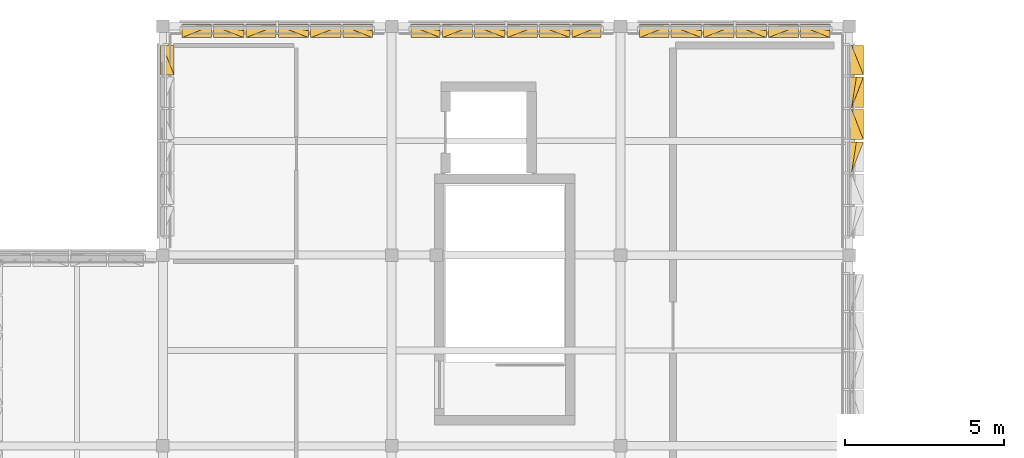
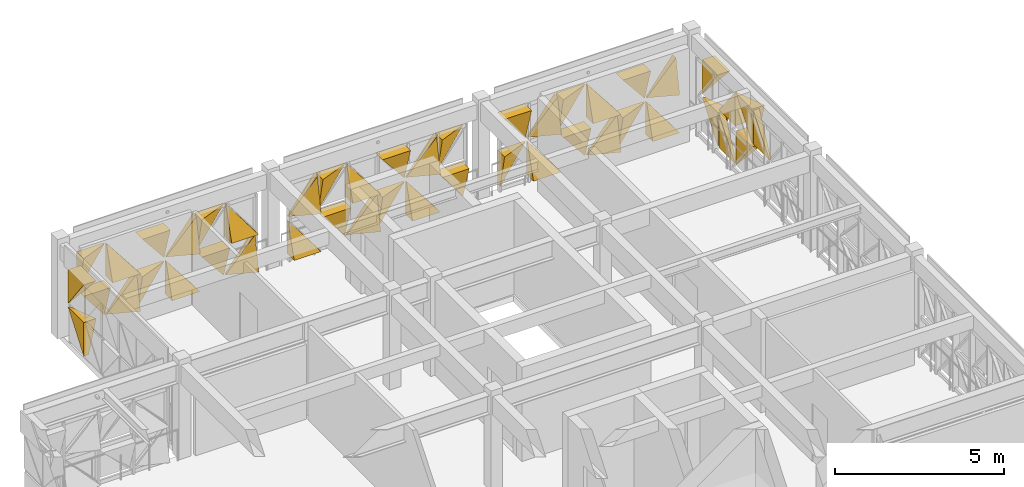
# One storey, part 25 of 25: 45 coverings.
"""IFC4 building model written with IfcOpenShell, lengths in metres."""

from ifc_helpers import new_model, si_unit, direction, frame, origin, place, context, subcontext, project, spatial, polygons, material, layer, layer_set, type_object, element, save


model = new_model("IFC4")

# Units and contexts
model_context = context("Model", 3, precision=1e-05, world=origin(), true_north=direction((0.0, 1.0)))
body_context = subcontext(model_context, "Body", "Model", "MODEL_VIEW")
ifc_project = project(units=[si_unit("LENGTHUNIT", "METRE"), si_unit("AREAUNIT", "SQUARE_METRE"), si_unit("VOLUMEUNIT", "CUBIC_METRE"), si_unit("PLANEANGLEUNIT", "RADIAN"), si_unit("MASSUNIT", "GRAM", prefix="KILO")], contexts=[model_context])

# Site, building, storey
site_placement = place(None, origin())
site = spatial("IfcSite", under=ifc_project, at=site_placement, CompositionType="ELEMENT")
building_placement = place(site_placement, origin())
building = spatial("IfcBuilding", under=site, at=building_placement, Name="Alvorim Cloister Faculty of Sciences", CompositionType="ELEMENT")
storey_placement = place(building_placement, frame((0.0, 0.0, 29.699951171875)))
storey = spatial("IfcBuildingStorey", under=building, at=storey_placement, Name="L08", CompositionType="ELEMENT", Elevation=29.699951171875)

# Coverings
ifc_material = material(Name="Perforated Bronze Alloy Sheet", Category="metal")
ifc_layer = layer(ifc_material, 0.0380859375)
ifc_layer_set = layer_set([ifc_layer], Name="Perforated Bronze Alloy Sheet")
covering_type = type_object("IfcCoveringType", Name="COV-TRI-BRZ", PredefinedType="CLADDING", material=ifc_layer_set)
covering_1_placement = place(storey_placement, frame((7.155029296875, 54.87255859375, 0.14013671875), z_axis=(0.0, 0.0, 1.0), x_axis=(0.0, 1.0, 0.0)))
element("IfcCovering", 1, at=covering_1_placement, inside=storey, type_object=covering_type, Name="Diagonal Solid Metal Triangle TRI-TL", PredefinedType="CLADDING", context=body_context, shape_type="Tessellation", body=[
    polygons([(0.920607421875, 0.0260009765625, 1.219970703125), (0.0, 0.0260009765625, 1.219970703125), (0.0, 0.0260009765625, 0.002), (0.920607421875, -0.03, 1.219970703125), (0.0, -0.4, 1.219970703125), (0.0, -0.13999999999999999, 0.002)], [[[1, 3, 2]], [[4, 5, 6]], [[1, 2, 5, 4]], [[2, 3, 6, 5]], [[3, 1, 4, 6]]], closed=True),
])
for number, where, z_axis, x_axis, name in (
    (2, (7.155029296875, 54.87255859375, 1.5), (0.0, 0.0, 1.0), (0.0, 1.0, 0.0), "Diagonal Solid Metal Triangle TRI-TR"),
    (3, (7.804931640625, 56.445068359375, 0.14013671875), (0.0, 0.0, 1.0), (1.0, 0.0, 0.0), "Diagonal Solid Metal Triangle TRI-TR"),
):
    element("IfcCovering", number, at=place(storey_placement, frame(where, z_axis=z_axis, x_axis=x_axis)), inside=storey, type_object=covering_type, Name=name, PredefinedType="CLADDING", context=body_context, shape_type="Tessellation", body=[
        polygons([(0.922607421875, 0.0260009765625, 0.002), (0.922607421875, 0.0260009765625, 1.219970703125), (0.002, 0.0260009765625, 1.219970703125), (0.922607421875, -0.03, 0.002), (0.922607421875, -0.4, 1.219970703125), (0.002, -0.4, 1.219970703125)], [[[1, 3, 2]], [[4, 5, 6]], [[1, 2, 5, 4]], [[2, 3, 6, 5]], [[3, 1, 4, 6]]], closed=True),
    ])
covering_2_placement = place(storey_placement, frame((7.804931640625, 56.445068359375, 1.5), z_axis=(0.0, 0.0, 1.0), x_axis=(1.0, 0.0, 0.0)))
element("IfcCovering", 4, at=covering_2_placement, inside=storey, type_object=covering_type, Name="Diagonal Solid Metal Triangle TRI-TL", PredefinedType="CLADDING", context=body_context, shape_type="Tessellation", body=[
    polygons([(0.920607421875, 0.0260009765625, 1.219970703125), (0.0, 0.0260009765625, 1.219970703125), (0.0, 0.0260009765625, 0.002), (0.920607421875, -0.03, 1.219970703125), (0.0, -0.4, 1.219970703125), (0.0, -0.13999999999999999, 0.002)], [[[1, 3, 2]], [[4, 5, 6]], [[1, 2, 5, 4]], [[2, 3, 6, 5]], [[3, 1, 4, 6]]], closed=True),
])
covering_3_placement = place(storey_placement, frame((8.79248046875, 56.445068359375, 0.14013671875), z_axis=(0.0, 0.0, 1.0), x_axis=(1.0, 0.0, 0.0)))
element("IfcCovering", 5, at=covering_3_placement, inside=storey, type_object=covering_type, Name="Diagonal Solid Metal Triangle TRI-BR", PredefinedType="CLADDING", context=body_context, shape_type="Tessellation", body=[
    polygons([(0.002, 0.0260009765625, 0.0), (0.955078125, 0.0260009765625, 0.0), (0.955078125, 0.0260009765625, 1.217970703125), (0.002, -0.03, 0.0), (0.955078125, -0.4, 0.0), (0.955078125, -0.18000000000000002, 1.217970703125)], [[[1, 3, 2]], [[4, 5, 6]], [[1, 2, 5, 4]], [[2, 3, 6, 5]], [[3, 1, 4, 6]]], closed=True),
])
covering_4_placement = place(storey_placement, frame((8.79248046875, 56.445068359375, 1.5), z_axis=(0.0, 0.0, 1.0), x_axis=(1.0, 0.0, 0.0)))
element("IfcCovering", 6, at=covering_4_placement, inside=storey, type_object=covering_type, Name="Diagonal Solid Metal Triangle TRI-BL", PredefinedType="CLADDING", context=body_context, shape_type="Tessellation", body=[
    polygons([(0.0, 0.0260009765625, 0.0), (0.953078125, 0.0260009765625, 0.0), (0.0, 0.0260009765625, 1.217970703125), (0.0, -0.4, 0.0), (0.953078125, -0.4, 0.0), (0.0, -0.03, 1.217970703125)], [[[1, 3, 2]], [[4, 5, 6]], [[1, 2, 5, 4]], [[2, 3, 6, 5]], [[3, 1, 4, 6]]], closed=True),
])
covering_5_placement = place(storey_placement, frame((9.8125, 56.445068359375, 0.14013671875), z_axis=(0.0, 0.0, 1.0), x_axis=(1.0, 0.0, 0.0)))
element("IfcCovering", 7, at=covering_5_placement, inside=storey, type_object=covering_type, Name="Diagonal Solid Metal Triangle TRI-TL", PredefinedType="CLADDING", context=body_context, shape_type="Tessellation", body=[
    polygons([(0.953078125, 0.0260009765625, 1.219970703125), (0.0, 0.0260009765625, 1.219970703125), (0.0, 0.0260009765625, 0.002), (0.953078125, -0.03, 1.219970703125), (0.0, -0.4, 1.219970703125), (0.0, -0.13999999999999999, 0.002)], [[[1, 3, 2]], [[4, 5, 6]], [[1, 2, 5, 4]], [[2, 3, 6, 5]], [[3, 1, 4, 6]]], closed=True),
])
covering_6_placement = place(storey_placement, frame((9.8125, 56.445068359375, 1.5), z_axis=(0.0, 0.0, 1.0), x_axis=(1.0, 0.0, 0.0)))
element("IfcCovering", 8, at=covering_6_placement, inside=storey, type_object=covering_type, Name="Diagonal Solid Metal Triangle TRI-TR", PredefinedType="CLADDING", context=body_context, shape_type="Tessellation", body=[
    polygons([(0.955078125, 0.0260009765625, 0.002), (0.955078125, 0.0260009765625, 1.219970703125), (0.002, 0.0260009765625, 1.219970703125), (0.955078125, -0.03, 0.002), (0.955078125, -0.4, 1.219970703125), (0.002, -0.4, 1.219970703125)], [[[1, 3, 2]], [[4, 5, 6]], [[1, 2, 5, 4]], [[2, 3, 6, 5]], [[3, 1, 4, 6]]], closed=True),
])
covering_7_placement = place(storey_placement, frame((10.83251953125, 56.445068359375, 0.14013671875), z_axis=(0.0, 0.0, 1.0), x_axis=(1.0, 0.0, 0.0)))
element("IfcCovering", 9, at=covering_7_placement, inside=storey, type_object=covering_type, Name="Diagonal Solid Metal Triangle TRI-BL", PredefinedType="CLADDING", context=body_context, shape_type="Tessellation", body=[
    polygons([(0.0, 0.0260009765625, 0.0), (0.953078125, 0.0260009765625, 0.0), (0.0, 0.0260009765625, 1.217970703125), (0.0, -0.4, 0.0), (0.953078125, -0.4, 0.0), (0.0, -0.03, 1.217970703125)], [[[1, 3, 2]], [[4, 5, 6]], [[1, 2, 5, 4]], [[2, 3, 6, 5]], [[3, 1, 4, 6]]], closed=True),
])
covering_8_placement = place(storey_placement, frame((10.83251953125, 56.445068359375, 1.5), z_axis=(0.0, 0.0, 1.0), x_axis=(1.0, 0.0, 0.0)))
element("IfcCovering", 10, at=covering_8_placement, inside=storey, type_object=covering_type, Name="Diagonal Solid Metal Triangle TRI-BR", PredefinedType="CLADDING", context=body_context, shape_type="Tessellation", body=[
    polygons([(0.002, 0.0260009765625, 0.0), (0.955078125, 0.0260009765625, 0.0), (0.955078125, 0.0260009765625, 1.217970703125), (0.002, -0.03, 0.0), (0.955078125, -0.4, 0.0), (0.955078125, -0.18000000000000002, 1.217970703125)], [[[1, 3, 2]], [[4, 5, 6]], [[1, 2, 5, 4]], [[2, 3, 6, 5]], [[3, 1, 4, 6]]], closed=True),
])
covering_9_placement = place(storey_placement, frame((11.8525390625, 56.445068359375, 0.14013671875), z_axis=(0.0, 0.0, 1.0), x_axis=(1.0, 0.0, 0.0)))
element("IfcCovering", 11, at=covering_9_placement, inside=storey, type_object=covering_type, Name="Diagonal Solid Metal Triangle TRI-TR", PredefinedType="CLADDING", context=body_context, shape_type="Tessellation", body=[
    polygons([(0.955078125, 0.0260009765625, 0.002), (0.955078125, 0.0260009765625, 1.219970703125), (0.002, 0.0260009765625, 1.219970703125), (0.955078125, -0.03, 0.002), (0.955078125, -0.4, 1.219970703125), (0.002, -0.4, 1.219970703125)], [[[1, 3, 2]], [[4, 5, 6]], [[1, 2, 5, 4]], [[2, 3, 6, 5]], [[3, 1, 4, 6]]], closed=True),
])
covering_10_placement = place(storey_placement, frame((11.8525390625, 56.445068359375, 1.5), z_axis=(0.0, 0.0, 1.0), x_axis=(1.0, 0.0, 0.0)))
element("IfcCovering", 12, at=covering_10_placement, inside=storey, type_object=covering_type, Name="Diagonal Solid Metal Triangle TRI-TL", PredefinedType="CLADDING", context=body_context, shape_type="Tessellation", body=[
    polygons([(0.953078125, 0.0260009765625, 1.219970703125), (0.0, 0.0260009765625, 1.219970703125), (0.0, 0.0260009765625, 0.002), (0.953078125, -0.03, 1.219970703125), (0.0, -0.4, 1.219970703125), (0.0, -0.13999999999999999, 0.002)], [[[1, 3, 2]], [[4, 5, 6]], [[1, 2, 5, 4]], [[2, 3, 6, 5]], [[3, 1, 4, 6]]], closed=True),
])
covering_11_placement = place(storey_placement, frame((12.87255859375, 56.445068359375, 0.14013671875), z_axis=(0.0, 0.0, 1.0), x_axis=(1.0, 0.0, 0.0)))
element("IfcCovering", 13, at=covering_11_placement, inside=storey, type_object=covering_type, Name="Diagonal Solid Metal Triangle TRI-BR", PredefinedType="CLADDING", context=body_context, shape_type="Tessellation", body=[
    polygons([(0.002, 0.0260009765625, 0.0), (0.922607421875, 0.0260009765625, 0.0), (0.922607421875, 0.0260009765625, 1.217970703125), (0.002, -0.03, 0.0), (0.922607421875, -0.4, 0.0), (0.922607421875, -0.18000000000000002, 1.217970703125)], [[[1, 3, 2]], [[4, 5, 6]], [[1, 2, 5, 4]], [[2, 3, 6, 5]], [[3, 1, 4, 6]]], closed=True),
])
for number, where, z_axis, x_axis, name in (
    (14, (12.87255859375, 56.445068359375, 1.5), (0.0, 0.0, 1.0), (1.0, 0.0, 0.0), "Diagonal Solid Metal Triangle TRI-BL"),
    (15, (15.0048828125, 56.445068359375, 0.14013671875), (0.0, 0.0, 1.0), (1.0, 0.0, 0.0), "Diagonal Solid Metal Triangle TRI-BL"),
):
    element("IfcCovering", number, at=place(storey_placement, frame(where, z_axis=z_axis, x_axis=x_axis)), inside=storey, type_object=covering_type, Name=name, PredefinedType="CLADDING", context=body_context, shape_type="Tessellation", body=[
        polygons([(0.0, 0.0260009765625, 0.0), (0.920607421875, 0.0260009765625, 0.0), (0.0, 0.0260009765625, 1.217970703125), (0.0, -0.4, 0.0), (0.920607421875, -0.4, 0.0), (0.0, -0.03, 1.217970703125)], [[[1, 3, 2]], [[4, 5, 6]], [[1, 2, 5, 4]], [[2, 3, 6, 5]], [[3, 1, 4, 6]]], closed=True),
    ])
covering_12_placement = place(storey_placement, frame((15.0048828125, 56.445068359375, 1.5), z_axis=(0.0, 0.0, 1.0), x_axis=(1.0, 0.0, 0.0)))
element("IfcCovering", 16, at=covering_12_placement, inside=storey, type_object=covering_type, Name="Diagonal Solid Metal Triangle TRI-BR", PredefinedType="CLADDING", context=body_context, shape_type="Tessellation", body=[
    polygons([(0.002, 0.0260009765625, 0.0), (0.922607421875, 0.0260009765625, 0.0), (0.922607421875, 0.0260009765625, 1.217970703125), (0.002, -0.03, 0.0), (0.922607421875, -0.4, 0.0), (0.922607421875, -0.18000000000000002, 1.217970703125)], [[[1, 3, 2]], [[4, 5, 6]], [[1, 2, 5, 4]], [[2, 3, 6, 5]], [[3, 1, 4, 6]]], closed=True),
])
covering_13_placement = place(storey_placement, frame((15.992431640625, 56.445068359375, 0.14013671875), z_axis=(0.0, 0.0, 1.0), x_axis=(1.0, 0.0, 0.0)))
element("IfcCovering", 17, at=covering_13_placement, inside=storey, type_object=covering_type, Name="Diagonal Solid Metal Triangle TRI-TR", PredefinedType="CLADDING", context=body_context, shape_type="Tessellation", body=[
    polygons([(0.955078125, 0.0260009765625, 0.002), (0.955078125, 0.0260009765625, 1.219970703125), (0.002, 0.0260009765625, 1.219970703125), (0.955078125, -0.03, 0.002), (0.955078125, -0.4, 1.219970703125), (0.002, -0.4, 1.219970703125)], [[[1, 3, 2]], [[4, 5, 6]], [[1, 2, 5, 4]], [[2, 3, 6, 5]], [[3, 1, 4, 6]]], closed=True),
])
covering_14_placement = place(storey_placement, frame((15.992431640625, 56.445068359375, 1.5), z_axis=(0.0, 0.0, 1.0), x_axis=(1.0, 0.0, 0.0)))
element("IfcCovering", 18, at=covering_14_placement, inside=storey, type_object=covering_type, Name="Diagonal Solid Metal Triangle TRI-TL", PredefinedType="CLADDING", context=body_context, shape_type="Tessellation", body=[
    polygons([(0.953078125, 0.0260009765625, 1.219970703125), (0.0, 0.0260009765625, 1.219970703125), (0.0, 0.0260009765625, 0.002), (0.953078125, -0.03, 1.219970703125), (0.0, -0.4, 1.219970703125), (0.0, -0.13999999999999999, 0.002)], [[[1, 3, 2]], [[4, 5, 6]], [[1, 2, 5, 4]], [[2, 3, 6, 5]], [[3, 1, 4, 6]]], closed=True),
])
covering_15_placement = place(storey_placement, frame((17.012451171875, 56.445068359375, 0.14013671875), z_axis=(0.0, 0.0, 1.0), x_axis=(1.0, 0.0, 0.0)))
element("IfcCovering", 19, at=covering_15_placement, inside=storey, type_object=covering_type, Name="Diagonal Solid Metal Triangle TRI-BR", PredefinedType="CLADDING", context=body_context, shape_type="Tessellation", body=[
    polygons([(0.002, 0.0260009765625, 0.0), (0.955078125, 0.0260009765625, 0.0), (0.955078125, 0.0260009765625, 1.217970703125), (0.002, -0.03, 0.0), (0.955078125, -0.4, 0.0), (0.955078125, -0.18000000000000002, 1.217970703125)], [[[1, 3, 2]], [[4, 5, 6]], [[1, 2, 5, 4]], [[2, 3, 6, 5]], [[3, 1, 4, 6]]], closed=True),
])
covering_16_placement = place(storey_placement, frame((17.012451171875, 56.445068359375, 1.5), z_axis=(0.0, 0.0, 1.0), x_axis=(1.0, 0.0, 0.0)))
element("IfcCovering", 20, at=covering_16_placement, inside=storey, type_object=covering_type, Name="Diagonal Solid Metal Triangle TRI-BL", PredefinedType="CLADDING", context=body_context, shape_type="Tessellation", body=[
    polygons([(0.0, 0.0260009765625, 0.0), (0.953078125, 0.0260009765625, 0.0), (0.0, 0.0260009765625, 1.217970703125), (0.0, -0.4, 0.0), (0.953078125, -0.4, 0.0), (0.0, -0.03, 1.217970703125)], [[[1, 3, 2]], [[4, 5, 6]], [[1, 2, 5, 4]], [[2, 3, 6, 5]], [[3, 1, 4, 6]]], closed=True),
])
covering_17_placement = place(storey_placement, frame((18.032470703125, 56.445068359375, 0.14013671875), z_axis=(0.0, 0.0, 1.0), x_axis=(1.0, 0.0, 0.0)))
element("IfcCovering", 21, at=covering_17_placement, inside=storey, type_object=covering_type, Name="Diagonal Solid Metal Triangle TRI-TL", PredefinedType="CLADDING", context=body_context, shape_type="Tessellation", body=[
    polygons([(0.953078125, 0.0260009765625, 1.219970703125), (0.0, 0.0260009765625, 1.219970703125), (0.0, 0.0260009765625, 0.002), (0.953078125, -0.03, 1.219970703125), (0.0, -0.4, 1.219970703125), (0.0, -0.13999999999999999, 0.002)], [[[1, 3, 2]], [[4, 5, 6]], [[1, 2, 5, 4]], [[2, 3, 6, 5]], [[3, 1, 4, 6]]], closed=True),
])
covering_18_placement = place(storey_placement, frame((18.032470703125, 56.445068359375, 1.5), z_axis=(0.0, 0.0, 1.0), x_axis=(1.0, 0.0, 0.0)))
element("IfcCovering", 22, at=covering_18_placement, inside=storey, type_object=covering_type, Name="Diagonal Solid Metal Triangle TRI-TR", PredefinedType="CLADDING", context=body_context, shape_type="Tessellation", body=[
    polygons([(0.955078125, 0.0260009765625, 0.002), (0.955078125, 0.0260009765625, 1.219970703125), (0.002, 0.0260009765625, 1.219970703125), (0.955078125, -0.03, 0.002), (0.955078125, -0.4, 1.219970703125), (0.002, -0.4, 1.219970703125)], [[[1, 3, 2]], [[4, 5, 6]], [[1, 2, 5, 4]], [[2, 3, 6, 5]], [[3, 1, 4, 6]]], closed=True),
])
covering_19_placement = place(storey_placement, frame((19.052490234375, 56.445068359375, 0.14013671875), z_axis=(0.0, 0.0, 1.0), x_axis=(1.0, 0.0, 0.0)))
element("IfcCovering", 23, at=covering_19_placement, inside=storey, type_object=covering_type, Name="Diagonal Solid Metal Triangle TRI-BL", PredefinedType="CLADDING", context=body_context, shape_type="Tessellation", body=[
    polygons([(0.0, 0.0260009765625, 0.0), (0.953078125, 0.0260009765625, 0.0), (0.0, 0.0260009765625, 1.217970703125), (0.0, -0.4, 0.0), (0.953078125, -0.4, 0.0), (0.0, -0.03, 1.217970703125)], [[[1, 3, 2]], [[4, 5, 6]], [[1, 2, 5, 4]], [[2, 3, 6, 5]], [[3, 1, 4, 6]]], closed=True),
])
covering_20_placement = place(storey_placement, frame((19.052490234375, 56.445068359375, 1.5), z_axis=(0.0, 0.0, 1.0), x_axis=(1.0, 0.0, 0.0)))
element("IfcCovering", 24, at=covering_20_placement, inside=storey, type_object=covering_type, Name="Diagonal Solid Metal Triangle TRI-BR", PredefinedType="CLADDING", context=body_context, shape_type="Tessellation", body=[
    polygons([(0.002, 0.0260009765625, 0.0), (0.955078125, 0.0260009765625, 0.0), (0.955078125, 0.0260009765625, 1.217970703125), (0.002, -0.03, 0.0), (0.955078125, -0.4, 0.0), (0.955078125, -0.18000000000000002, 1.217970703125)], [[[1, 3, 2]], [[4, 5, 6]], [[1, 2, 5, 4]], [[2, 3, 6, 5]], [[3, 1, 4, 6]]], closed=True),
])
covering_21_placement = place(storey_placement, frame((20.072509765625, 56.445068359375, 0.14013671875), z_axis=(0.0, 0.0, 1.0), x_axis=(1.0, 0.0, 0.0)))
element("IfcCovering", 25, at=covering_21_placement, inside=storey, type_object=covering_type, Name="Diagonal Solid Metal Triangle TRI-TR", PredefinedType="CLADDING", context=body_context, shape_type="Tessellation", body=[
    polygons([(0.922607421875, 0.0260009765625, 0.002), (0.922607421875, 0.0260009765625, 1.219970703125), (0.002, 0.0260009765625, 1.219970703125), (0.922607421875, -0.03, 0.002), (0.922607421875, -0.4, 1.219970703125), (0.002, -0.4, 1.219970703125)], [[[1, 3, 2]], [[4, 5, 6]], [[1, 2, 5, 4]], [[2, 3, 6, 5]], [[3, 1, 4, 6]]], closed=True),
])
for number, where, z_axis, x_axis, name in (
    (26, (20.072509765625, 56.445068359375, 1.5), (0.0, 0.0, 1.0), (1.0, 0.0, 0.0), "Diagonal Solid Metal Triangle TRI-TL"),
    (27, (22.205078125, 56.445068359375, 0.14013671875), (0.0, 0.0, 1.0), (1.0, 0.0, 0.0), "Diagonal Solid Metal Triangle TRI-TL"),
):
    element("IfcCovering", number, at=place(storey_placement, frame(where, z_axis=z_axis, x_axis=x_axis)), inside=storey, type_object=covering_type, Name=name, PredefinedType="CLADDING", context=body_context, shape_type="Tessellation", body=[
        polygons([(0.920607421875, 0.0260009765625, 1.219970703125), (0.0, 0.0260009765625, 1.219970703125), (0.0, 0.0260009765625, 0.002), (0.920607421875, -0.03, 1.219970703125), (0.0, -0.4, 1.219970703125), (0.0, -0.13999999999999999, 0.002)], [[[1, 3, 2]], [[4, 5, 6]], [[1, 2, 5, 4]], [[2, 3, 6, 5]], [[3, 1, 4, 6]]], closed=True),
    ])
covering_22_placement = place(storey_placement, frame((22.205078125, 56.445068359375, 1.5), z_axis=(0.0, 0.0, 1.0), x_axis=(1.0, 0.0, 0.0)))
element("IfcCovering", 28, at=covering_22_placement, inside=storey, type_object=covering_type, Name="Diagonal Solid Metal Triangle TRI-TR", PredefinedType="CLADDING", context=body_context, shape_type="Tessellation", body=[
    polygons([(0.922607421875, 0.0260009765625, 0.002), (0.922607421875, 0.0260009765625, 1.219970703125), (0.002, 0.0260009765625, 1.219970703125), (0.922607421875, -0.03, 0.002), (0.922607421875, -0.4, 1.219970703125), (0.002, -0.4, 1.219970703125)], [[[1, 3, 2]], [[4, 5, 6]], [[1, 2, 5, 4]], [[2, 3, 6, 5]], [[3, 1, 4, 6]]], closed=True),
])
covering_23_placement = place(storey_placement, frame((23.1923828125, 56.445068359375, 0.14013671875), z_axis=(0.0, 0.0, 1.0), x_axis=(1.0, 0.0, 0.0)))
element("IfcCovering", 29, at=covering_23_placement, inside=storey, type_object=covering_type, Name="Diagonal Solid Metal Triangle TRI-BL", PredefinedType="CLADDING", context=body_context, shape_type="Tessellation", body=[
    polygons([(0.0, 0.0260009765625, 0.0), (0.953078125, 0.0260009765625, 0.0), (0.0, 0.0260009765625, 1.217970703125), (0.0, -0.4, 0.0), (0.953078125, -0.4, 0.0), (0.0, -0.03, 1.217970703125)], [[[1, 3, 2]], [[4, 5, 6]], [[1, 2, 5, 4]], [[2, 3, 6, 5]], [[3, 1, 4, 6]]], closed=True),
])
covering_24_placement = place(storey_placement, frame((23.1923828125, 56.445068359375, 1.5), z_axis=(0.0, 0.0, 1.0), x_axis=(1.0, 0.0, 0.0)))
element("IfcCovering", 30, at=covering_24_placement, inside=storey, type_object=covering_type, Name="Diagonal Solid Metal Triangle TRI-BR", PredefinedType="CLADDING", context=body_context, shape_type="Tessellation", body=[
    polygons([(0.002, 0.0260009765625, 0.0), (0.955078125, 0.0260009765625, 0.0), (0.955078125, 0.0260009765625, 1.217970703125), (0.002, -0.03, 0.0), (0.955078125, -0.4, 0.0), (0.955078125, -0.18000000000000002, 1.217970703125)], [[[1, 3, 2]], [[4, 5, 6]], [[1, 2, 5, 4]], [[2, 3, 6, 5]], [[3, 1, 4, 6]]], closed=True),
])
covering_25_placement = place(storey_placement, frame((24.21240234375, 56.445068359375, 0.14013671875), z_axis=(0.0, 0.0, 1.0), x_axis=(1.0, 0.0, 0.0)))
element("IfcCovering", 31, at=covering_25_placement, inside=storey, type_object=covering_type, Name="Diagonal Solid Metal Triangle TRI-TR", PredefinedType="CLADDING", context=body_context, shape_type="Tessellation", body=[
    polygons([(0.955078125, 0.0260009765625, 0.002), (0.955078125, 0.0260009765625, 1.219970703125), (0.002, 0.0260009765625, 1.219970703125), (0.955078125, -0.03, 0.002), (0.955078125, -0.4, 1.219970703125), (0.002, -0.4, 1.219970703125)], [[[1, 3, 2]], [[4, 5, 6]], [[1, 2, 5, 4]], [[2, 3, 6, 5]], [[3, 1, 4, 6]]], closed=True),
])
covering_26_placement = place(storey_placement, frame((24.21240234375, 56.445068359375, 1.5), z_axis=(0.0, 0.0, 1.0), x_axis=(1.0, 0.0, 0.0)))
element("IfcCovering", 32, at=covering_26_placement, inside=storey, type_object=covering_type, Name="Diagonal Solid Metal Triangle TRI-TL", PredefinedType="CLADDING", context=body_context, shape_type="Tessellation", body=[
    polygons([(0.953078125, 0.0260009765625, 1.219970703125), (0.0, 0.0260009765625, 1.219970703125), (0.0, 0.0260009765625, 0.002), (0.953078125, -0.03, 1.219970703125), (0.0, -0.4, 1.219970703125), (0.0, -0.13999999999999999, 0.002)], [[[1, 3, 2]], [[4, 5, 6]], [[1, 2, 5, 4]], [[2, 3, 6, 5]], [[3, 1, 4, 6]]], closed=True),
])
covering_27_placement = place(storey_placement, frame((25.232421875, 56.445068359375, 0.14013671875), z_axis=(0.0, 0.0, 1.0), x_axis=(1.0, 0.0, 0.0)))
element("IfcCovering", 33, at=covering_27_placement, inside=storey, type_object=covering_type, Name="Diagonal Solid Metal Triangle TRI-BR", PredefinedType="CLADDING", context=body_context, shape_type="Tessellation", body=[
    polygons([(0.002, 0.0260009765625, 0.0), (0.955078125, 0.0260009765625, 0.0), (0.955078125, 0.0260009765625, 1.217970703125), (0.002, -0.03, 0.0), (0.955078125, -0.4, 0.0), (0.955078125, -0.18000000000000002, 1.217970703125)], [[[1, 3, 2]], [[4, 5, 6]], [[1, 2, 5, 4]], [[2, 3, 6, 5]], [[3, 1, 4, 6]]], closed=True),
])
covering_28_placement = place(storey_placement, frame((25.232421875, 56.445068359375, 1.5), z_axis=(0.0, 0.0, 1.0), x_axis=(1.0, 0.0, 0.0)))
element("IfcCovering", 34, at=covering_28_placement, inside=storey, type_object=covering_type, Name="Diagonal Solid Metal Triangle TRI-BL", PredefinedType="CLADDING", context=body_context, shape_type="Tessellation", body=[
    polygons([(0.0, 0.0260009765625, 0.0), (0.953078125, 0.0260009765625, 0.0), (0.0, 0.0260009765625, 1.217970703125), (0.0, -0.4, 0.0), (0.953078125, -0.4, 0.0), (0.0, -0.03, 1.217970703125)], [[[1, 3, 2]], [[4, 5, 6]], [[1, 2, 5, 4]], [[2, 3, 6, 5]], [[3, 1, 4, 6]]], closed=True),
])
covering_29_placement = place(storey_placement, frame((26.25244140625, 56.445068359375, 0.14013671875), z_axis=(0.0, 0.0, 1.0), x_axis=(1.0, 0.0, 0.0)))
element("IfcCovering", 35, at=covering_29_placement, inside=storey, type_object=covering_type, Name="Diagonal Solid Metal Triangle TRI-TL", PredefinedType="CLADDING", context=body_context, shape_type="Tessellation", body=[
    polygons([(0.953078125, 0.0260009765625, 1.219970703125), (0.0, 0.0260009765625, 1.219970703125), (0.0, 0.0260009765625, 0.002), (0.953078125, -0.03, 1.219970703125), (0.0, -0.4, 1.219970703125), (0.0, -0.13999999999999999, 0.002)], [[[1, 3, 2]], [[4, 5, 6]], [[1, 2, 5, 4]], [[2, 3, 6, 5]], [[3, 1, 4, 6]]], closed=True),
])
covering_30_placement = place(storey_placement, frame((26.25244140625, 56.445068359375, 1.5), z_axis=(0.0, 0.0, 1.0), x_axis=(1.0, 0.0, 0.0)))
element("IfcCovering", 36, at=covering_30_placement, inside=storey, type_object=covering_type, Name="Diagonal Solid Metal Triangle TRI-TR", PredefinedType="CLADDING", context=body_context, shape_type="Tessellation", body=[
    polygons([(0.955078125, 0.0260009765625, 0.002), (0.955078125, 0.0260009765625, 1.219970703125), (0.002, 0.0260009765625, 1.219970703125), (0.955078125, -0.03, 0.002), (0.955078125, -0.4, 1.219970703125), (0.002, -0.4, 1.219970703125)], [[[1, 3, 2]], [[4, 5, 6]], [[1, 2, 5, 4]], [[2, 3, 6, 5]], [[3, 1, 4, 6]]], closed=True),
])
covering_31_placement = place(storey_placement, frame((27.2724609375, 56.445068359375, 0.14013671875), z_axis=(0.0, 0.0, 1.0), x_axis=(1.0, 0.0, 0.0)))
element("IfcCovering", 37, at=covering_31_placement, inside=storey, type_object=covering_type, Name="Diagonal Solid Metal Triangle TRI-BL", PredefinedType="CLADDING", context=body_context, shape_type="Tessellation", body=[
    polygons([(0.0, 0.0260009765625, 0.0), (0.920607421875, 0.0260009765625, 0.0), (0.0, 0.0260009765625, 1.217970703125), (0.0, -0.4, 0.0), (0.920607421875, -0.4, 0.0), (0.0, -0.03, 1.217970703125)], [[[1, 3, 2]], [[4, 5, 6]], [[1, 2, 5, 4]], [[2, 3, 6, 5]], [[3, 1, 4, 6]]], closed=True),
])
covering_32_placement = place(storey_placement, frame((27.2724609375, 56.445068359375, 1.5), z_axis=(0.0, 0.0, 1.0), x_axis=(1.0, 0.0, 0.0)))
element("IfcCovering", 38, at=covering_32_placement, inside=storey, type_object=covering_type, Name="Diagonal Solid Metal Triangle TRI-BR", PredefinedType="CLADDING", context=body_context, shape_type="Tessellation", body=[
    polygons([(0.002, 0.0260009765625, 0.0), (0.922607421875, 0.0260009765625, 0.0), (0.922607421875, 0.0260009765625, 1.217970703125), (0.002, -0.03, 0.0), (0.922607421875, -0.4, 0.0), (0.922607421875, -0.18000000000000002, 1.217970703125)], [[[1, 3, 2]], [[4, 5, 6]], [[1, 2, 5, 4]], [[2, 3, 6, 5]], [[3, 1, 4, 6]]], closed=True),
])
covering_33_placement = place(storey_placement, frame((28.844970703125, 51.8125, 1.5), z_axis=(0.0, 0.0, 1.0), x_axis=(0.0, 1.0, 0.0)))
element("IfcCovering", 39, at=covering_33_placement, inside=storey, type_object=covering_type, Name="Diagonal Solid Metal Triangle TRI-BR", PredefinedType="CLADDING", context=body_context, shape_type="Tessellation", body=[
    polygons([(0.002, 0.0260009765625, 0.0), (0.955078125, 0.0260009765625, 0.0), (0.955078125, 0.0260009765625, 1.217970703125), (0.002, -0.03, 0.0), (0.955078125, -0.4, 0.0), (0.955078125, -0.18000000000000002, 1.217970703125)], [[[1, 3, 2]], [[4, 5, 6]], [[1, 2, 5, 4]], [[2, 3, 6, 5]], [[3, 1, 4, 6]]], closed=True),
])
covering_34_placement = place(storey_placement, frame((28.844970703125, 52.83251953125, 0.14013671875), z_axis=(0.0, 0.0, 1.0), x_axis=(0.0, 1.0, 0.0)))
element("IfcCovering", 40, at=covering_34_placement, inside=storey, type_object=covering_type, Name="Diagonal Solid Metal Triangle TRI-TR", PredefinedType="CLADDING", context=body_context, shape_type="Tessellation", body=[
    polygons([(0.955078125, 0.0260009765625, 0.002), (0.955078125, 0.0260009765625, 1.219970703125), (0.002, 0.0260009765625, 1.219970703125), (0.955078125, -0.03, 0.002), (0.955078125, -0.4, 1.219970703125), (0.002, -0.4, 1.219970703125)], [[[1, 3, 2]], [[4, 5, 6]], [[1, 2, 5, 4]], [[2, 3, 6, 5]], [[3, 1, 4, 6]]], closed=True),
])
covering_35_placement = place(storey_placement, frame((28.844970703125, 52.83251953125, 1.5), z_axis=(0.0, 0.0, 1.0), x_axis=(0.0, 1.0, 0.0)))
element("IfcCovering", 41, at=covering_35_placement, inside=storey, type_object=covering_type, Name="Diagonal Solid Metal Triangle TRI-TL", PredefinedType="CLADDING", context=body_context, shape_type="Tessellation", body=[
    polygons([(0.953078125, 0.0260009765625, 1.219970703125), (0.0, 0.0260009765625, 1.219970703125), (0.0, 0.0260009765625, 0.002), (0.953078125, -0.03, 1.219970703125), (0.0, -0.4, 1.219970703125), (0.0, -0.13999999999999999, 0.002)], [[[1, 3, 2]], [[4, 5, 6]], [[1, 2, 5, 4]], [[2, 3, 6, 5]], [[3, 1, 4, 6]]], closed=True),
])
covering_36_placement = place(storey_placement, frame((28.844970703125, 53.8525390625, 0.14013671875), z_axis=(0.0, 0.0, 1.0), x_axis=(0.0, 1.0, 0.0)))
element("IfcCovering", 42, at=covering_36_placement, inside=storey, type_object=covering_type, Name="Diagonal Solid Metal Triangle TRI-BR", PredefinedType="CLADDING", context=body_context, shape_type="Tessellation", body=[
    polygons([(0.002, 0.0260009765625, 0.0), (0.955078125, 0.0260009765625, 0.0), (0.955078125, 0.0260009765625, 1.217970703125), (0.002, -0.03, 0.0), (0.955078125, -0.4, 0.0), (0.955078125, -0.18000000000000002, 1.217970703125)], [[[1, 3, 2]], [[4, 5, 6]], [[1, 2, 5, 4]], [[2, 3, 6, 5]], [[3, 1, 4, 6]]], closed=True),
])
covering_37_placement = place(storey_placement, frame((28.844970703125, 53.8525390625, 1.5), z_axis=(0.0, 0.0, 1.0), x_axis=(0.0, 1.0, 0.0)))
element("IfcCovering", 43, at=covering_37_placement, inside=storey, type_object=covering_type, Name="Diagonal Solid Metal Triangle TRI-BL", PredefinedType="CLADDING", context=body_context, shape_type="Tessellation", body=[
    polygons([(0.0, 0.0260009765625, 0.0), (0.953078125, 0.0260009765625, 0.0), (0.0, 0.0260009765625, 1.217970703125), (0.0, -0.4, 0.0), (0.953078125, -0.4, 0.0), (0.0, -0.03, 1.217970703125)], [[[1, 3, 2]], [[4, 5, 6]], [[1, 2, 5, 4]], [[2, 3, 6, 5]], [[3, 1, 4, 6]]], closed=True),
])
covering_38_placement = place(storey_placement, frame((28.844970703125, 54.87255859375, 0.14013671875), z_axis=(0.0, 0.0, 1.0), x_axis=(0.0, 1.0, 0.0)))
element("IfcCovering", 44, at=covering_38_placement, inside=storey, type_object=covering_type, Name="Diagonal Solid Metal Triangle TRI-TL", PredefinedType="CLADDING", context=body_context, shape_type="Tessellation", body=[
    polygons([(0.920607421875, 0.0260009765625, 1.219970703125), (0.0, 0.0260009765625, 1.219970703125), (0.0, 0.0260009765625, 0.002), (0.920607421875, -0.03, 1.219970703125), (0.0, -0.4, 1.219970703125), (0.0, -0.13999999999999999, 0.002)], [[[1, 3, 2]], [[4, 5, 6]], [[1, 2, 5, 4]], [[2, 3, 6, 5]], [[3, 1, 4, 6]]], closed=True),
])
covering_39_placement = place(storey_placement, frame((28.844970703125, 54.87255859375, 1.5), z_axis=(0.0, 0.0, 1.0), x_axis=(0.0, 1.0, 0.0)))
element("IfcCovering", 45, at=covering_39_placement, inside=storey, type_object=covering_type, Name="Diagonal Solid Metal Triangle TRI-TR", PredefinedType="CLADDING", context=body_context, shape_type="Tessellation", body=[
    polygons([(0.922607421875, 0.0260009765625, 0.002), (0.922607421875, 0.0260009765625, 1.219970703125), (0.002, 0.0260009765625, 1.219970703125), (0.922607421875, -0.03, 0.002), (0.922607421875, -0.4, 1.219970703125), (0.002, -0.4, 1.219970703125)], [[[1, 3, 2]], [[4, 5, 6]], [[1, 2, 5, 4]], [[2, 3, 6, 5]], [[3, 1, 4, 6]]], closed=True),
])

save(model, "model.ifc")
